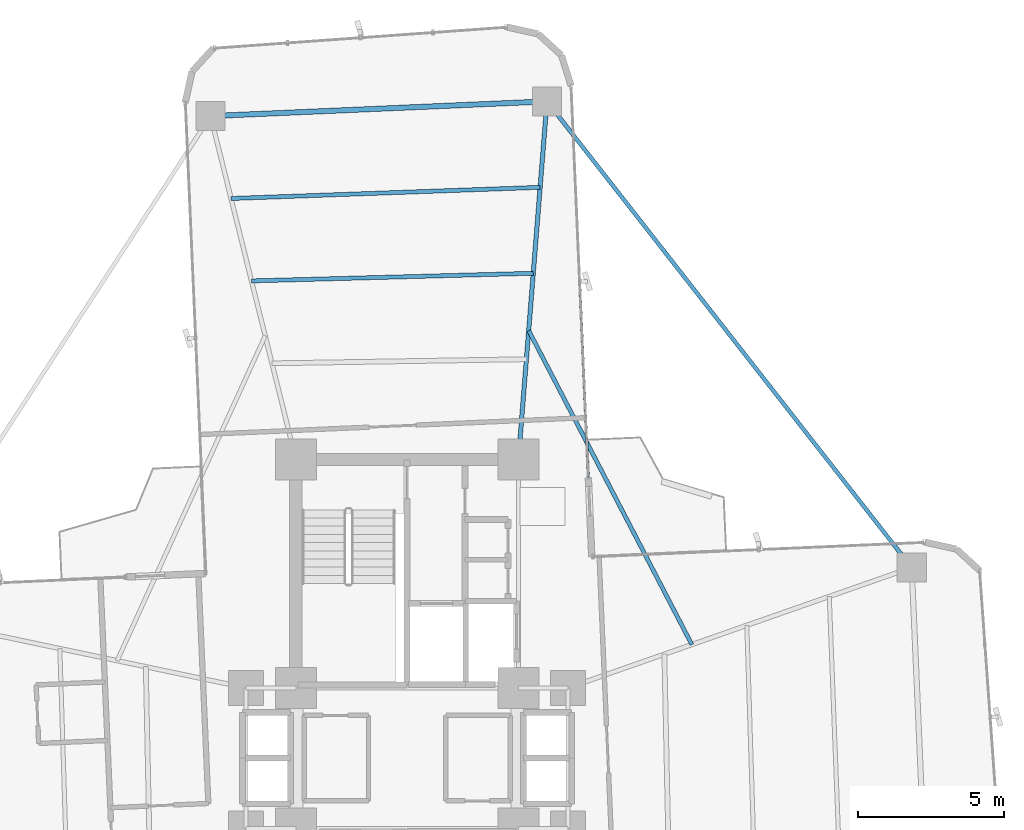
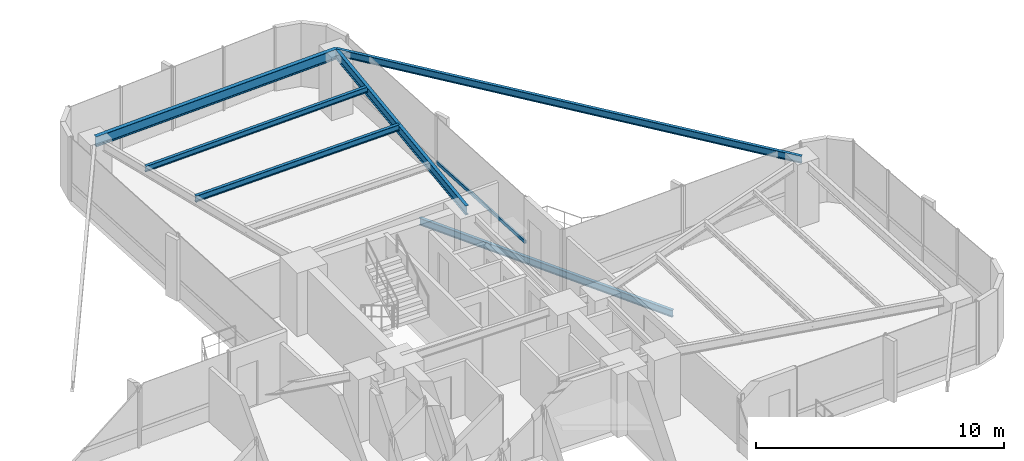
# One storey, part 18 of 26: 6 beams, 1 member, 1 element without a shape of its own.
"""IFC4 building model written with IfcOpenShell, lengths in metres."""

from ifc_helpers import new_model, si_unit, direction, frame, origin, origin_2d, place, context, subcontext, project, spatial, hollow_rectangle, i_section, extrude, source, transform, mapped, material, material_profile, profile_set, type_object, element, aggregate, save


model = new_model("IFC4")

# Units and contexts
model_context = context("Model", 3, precision=1e-05, world=origin(), true_north=direction((0.0, 1.0)))
body_context = subcontext(model_context, "Body", "Model", "MODEL_VIEW")
ifc_project = project(units=[si_unit("LENGTHUNIT", "METRE"), si_unit("AREAUNIT", "SQUARE_METRE"), si_unit("VOLUMEUNIT", "CUBIC_METRE"), si_unit("PLANEANGLEUNIT", "RADIAN"), si_unit("MASSUNIT", "GRAM", prefix="KILO")], contexts=[model_context])

# Site, building, storey
site_placement = place(None, origin())
site = spatial("IfcSite", under=ifc_project, at=site_placement, CompositionType="ELEMENT")
building_placement = place(site_placement, origin())
building = spatial("IfcBuilding", under=site, at=building_placement, Name="Sahyath Konkavel Grand Hotel", CompositionType="ELEMENT")
storey_placement = place(building_placement, frame((0.0, 0.0, 121.5)))
storey = spatial("IfcBuildingStorey", under=building, at=storey_placement, Name="L33", CompositionType="ELEMENT", Elevation=121.5)

# Beams
ifc_material_1 = material(Name="Steel E350", Category="steel")
ifc_material_profile_1 = material_profile(ifc_material_1, i_section(OverallWidth=0.14990234375, OverallDepth=0.449951171875, WebThickness=0.009521484375, FlangeThickness=0.017333984375, FilletRadius=0.014892578125, at=origin_2d()), Name="ISMB 450")
ifc_profile_set_1 = profile_set([ifc_material_profile_1], Name="Steel E350")
beam_type_1 = type_object("IfcBeamType", Name="BM-ISMB450", PredefinedType="BEAM", material=ifc_profile_set_1)
shared_shape_1 = source(origin(), body_context, "Body", "SweptSolid", [
    extrude(i_section(OverallWidth=0.14990234375, OverallDepth=0.449951171875, WebThickness=0.009521484375, FlangeThickness=0.017333984375, FilletRadius=0.014892578125, at=origin_2d()), origin(), (0.0, 0.0, 1.0), 12.2685546875),
])
beam_1_placement = place(storey_placement, frame((3.800048828125, 10.199951171875, 2.885009765625), z_axis=(0.079558563357, 0.996830193662, 0.0), x_axis=(-0.996830193662, 0.079558563357, 0.0)))
element("IfcBeam", 1, at=beam_1_placement, inside=storey, type_object=beam_type_1, Name="L33 Cruciform Radial Girder NA", PredefinedType="BEAM", context=body_context, shape_type="MappedRepresentation", body=[
    mapped(shared_shape_1, transform((0.0, 0.0, 0.0), scale=1.0)),
])
ifc_material_profile_2 = material_profile(ifc_material_1, i_section(OverallWidth=0.179931640625, OverallDepth=0.5, WebThickness=0.01025390625, FlangeThickness=0.01708984375, FilletRadius=0.01708984375, at=origin_2d()), Name="ISMB 500")
ifc_profile_set_2 = profile_set([ifc_material_profile_2], Name="Steel E350")
beam_type_2 = type_object("IfcBeamType", Name="BM-ISMB500", PredefinedType="BEAM", material=ifc_profile_set_2)
shared_shape_2 = source(origin(), body_context, "Body", "SweptSolid", [
    extrude(i_section(OverallWidth=0.179931640625, OverallDepth=0.5, WebThickness=0.01025390625, FlangeThickness=0.01708984375, FilletRadius=0.01708984375, at=origin_2d()), origin(), (0.0, 0.0, 1.0), 11.5),
])
beam_2_placement = place(storey_placement, frame((4.776123046875, 22.4296875, 2.860107421875), z_axis=(-0.99904788879, -0.043627008892, 0.0), x_axis=(0.043627008892, -0.99904788879, 0.0)))
element("IfcBeam", 2, at=beam_2_placement, inside=storey, type_object=beam_type_2, Name="L33 Wing Tip Edge Beam N", PredefinedType="BEAM", context=body_context, shape_type="MappedRepresentation", body=[
    mapped(shared_shape_2, transform((0.0, 0.0, 0.0), scale=1.0)),
])
ifc_material_profile_3 = material_profile(ifc_material_1, i_section(OverallWidth=0.139892578125, OverallDepth=0.35009765625, WebThickness=0.008056640625, FlangeThickness=0.01416015625, FilletRadius=0.013916015625, at=origin_2d()), Name="ISMB 350")
ifc_profile_set_3 = profile_set([ifc_material_profile_3], Name="Steel E350")
beam_type_3 = type_object("IfcBeamType", Name="BM-ISMB350", PredefinedType="BEAM", material=ifc_profile_set_3)
shared_shape_3 = source(origin(), body_context, "Body", "SweptSolid", [
    extrude(i_section(OverallWidth=0.139892578125, OverallDepth=0.35009765625, WebThickness=0.008056640625, FlangeThickness=0.01416015625, FilletRadius=0.013916015625, at=origin_2d()), origin(), (0.0, 0.0, 1.0), 20.215576171875),
])
beam_3_placement = place(storey_placement, frame((17.232421875, 6.5078125, 2.93505859375), z_axis=(-0.616176369687, 0.787608203004, 0.0), x_axis=(-0.787608203004, -0.616176369687, 0.0)))
element("IfcBeam", 3, at=beam_3_placement, inside=storey, type_object=beam_type_3, Name="L33 Re-Entrant Tie Beam NE", PredefinedType="BEAM", context=body_context, shape_type="MappedRepresentation", body=[
    mapped(shared_shape_3, transform((0.0, 0.0, 0.0), scale=1.0)),
])
ifc_material_profile_4 = material_profile(ifc_material_1, i_section(OverallWidth=0.139892578125, OverallDepth=0.300048828125, WebThickness=0.0078125, FlangeThickness=0.01318359375, FilletRadius=0.013916015625, at=origin_2d()), Name="ISMB 300")
ifc_profile_set_4 = profile_set([ifc_material_profile_4], Name="Steel E350")
beam_type_4 = type_object("IfcBeamType", Name="BM-ISMB300", PredefinedType="BEAM", material=ifc_profile_set_4)
shared_shape_4 = source(origin(), body_context, "Body", "SweptSolid", [
    extrude(i_section(OverallWidth=0.139892578125, OverallDepth=0.300048828125, WebThickness=0.0078125, FlangeThickness=0.01318359375, FilletRadius=0.013916015625, at=origin_2d()), origin(), (0.0, 0.0, 1.0), 9.625732421875),
])
beam_4_placement = place(storey_placement, frame((4.3076171875, 16.559326171875, 2.9599609375), z_axis=(-0.999633060528, -0.027087714933, 0.0), x_axis=(0.027087714933, -0.999633060528, 0.0)))
element("IfcBeam", 4, at=beam_4_placement, inside=storey, type_object=beam_type_4, Name="L33 Secondary Floor Beam N-2", PredefinedType="BEAM", context=body_context, shape_type="MappedRepresentation", body=[
    mapped(shared_shape_4, transform((0.0, 0.0, 0.0), scale=1.0)),
])
ifc_material_profile_5 = material_profile(ifc_material_1, i_section(OverallWidth=0.139892578125, OverallDepth=0.27490234375, WebThickness=0.00634765625, FlangeThickness=0.0087890625, FilletRadius=0.012939453125, at=origin_2d()), Name="ISLB 275")
ifc_profile_set_5 = profile_set([ifc_material_profile_5], Name="Steel E350")
beam_type_5 = type_object("IfcBeamType", Name="BM-ISLB275", PredefinedType="BEAM", material=ifc_profile_set_5)
shared_shape_5 = source(origin(), body_context, "Body", "SweptSolid", [
    extrude(i_section(OverallWidth=0.139892578125, OverallDepth=0.27490234375, WebThickness=0.00634765625, FlangeThickness=0.0087890625, FilletRadius=0.012939453125, at=origin_2d()), origin(), (0.0, 0.0, 1.0), 10.562744140625),
])
beam_5_placement = place(storey_placement, frame((4.5419921875, 19.49462890625, 2.972412109375), z_axis=(-0.999348077295, -0.036102914095, 0.0), x_axis=(0.036102914095, -0.999348077295, 0.0)))
element("IfcBeam", 5, at=beam_5_placement, inside=storey, type_object=beam_type_5, Name="L33 Secondary Floor Beam N-3", PredefinedType="BEAM", context=body_context, shape_type="MappedRepresentation", body=[
    mapped(shared_shape_5, transform((0.0, 0.0, 0.0), scale=1.0)),
])

# Curtain wall, member
ifc_material_2 = material(Name="Anodised Bronze Aluminium & Low-E Glazing", Category="aluminium")
curtain_wall_type = type_object("IfcCurtainWallType", Name="CW-ZONE2", PredefinedType="NOTDEFINED", material=ifc_material_2)
curtain_wall_placement = place(storey_placement, origin())
curtain_wall = element("IfcCurtainWall", 6, at=curtain_wall_placement, inside=storey, type_object=curtain_wall_type, Name="L33 Unitised Curtain Wall F8", PredefinedType="NOTDEFINED")
ifc_material_3 = material(Name="Anodised Bronze Aluminium", Category="aluminium")
ifc_material_profile_6 = material_profile(ifc_material_3, hollow_rectangle(XDim=0.080078125, YDim=0.159912109375, WallThickness=0.006103515625, at=origin_2d()), Name="RHS 160x80x6")
ifc_profile_set_6 = profile_set([ifc_material_profile_6], Name="Anodised Bronze Aluminium")
member_type = type_object("IfcMemberType", Name="CW-TRN-160", PredefinedType="USERDEFINED", material=ifc_profile_set_6)
shared_shape_6 = source(origin(), body_context, "Body", "SweptSolid", [
    extrude(hollow_rectangle(XDim=0.080078125, YDim=0.159912109375, WallThickness=0.006103515625, at=origin_2d()), origin(), (0.0, 0.0, 1.0), 6.66015625),
])
member_placement = place(storey_placement, frame((6.186279296875, 9.618896484375, 0.85009765625), z_axis=(-0.043621753165, 0.999048118286, 0.0), x_axis=(-0.999048118286, -0.043621753165, 0.0)))
member = element("IfcMember", 7, at=member_placement, type_object=member_type, Name="L33 Curtain Wall Transom F8-0-spandrel", ObjectType="TRANSOM", PredefinedType="USERDEFINED", context=body_context, shape_type="MappedRepresentation", body=[
    mapped(shared_shape_6, transform((0.0, 0.0, 0.0), scale=1.0)),
])
aggregate(curtain_wall, [member])

# Beam
ifc_material_profile_7 = material_profile(ifc_material_1, i_section(OverallWidth=0.139892578125, OverallDepth=0.35009765625, WebThickness=0.008056640625, FlangeThickness=0.01416015625, FilletRadius=0.013916015625, at=origin_2d()), Name="ISMB 350")
ifc_profile_set_7 = profile_set([ifc_material_profile_7], Name="Steel E350")
beam_type_6 = type_object("IfcBeamType", Name="BM-BALC-CANT", PredefinedType="BEAM", material=ifc_profile_set_7)
shared_shape_7 = source(origin(), body_context, "Body", "SweptSolid", [
    extrude(i_section(OverallWidth=0.139892578125, OverallDepth=0.35009765625, WebThickness=0.008056640625, FlangeThickness=0.01416015625, FilletRadius=0.013916015625, at=origin_2d()), origin(), (0.0, 0.0, 1.0), 12.085205078125),
])
beam_6_placement = place(storey_placement, frame((9.7236328125, 3.87890625, -0.4150390625), z_axis=(-0.461082384626, 0.887357331962, 0.0), x_axis=(-0.887357331962, -0.461082384626, 0.0)))
element("IfcBeam", 8, at=beam_6_placement, inside=storey, type_object=beam_type_6, Name="L33 Balcony Cantilever Support Beam NE", PredefinedType="BEAM", context=body_context, shape_type="MappedRepresentation", body=[
    mapped(shared_shape_7, transform((0.0, 0.0, 0.0), scale=1.0)),
])

save(model, "model.ifc")
